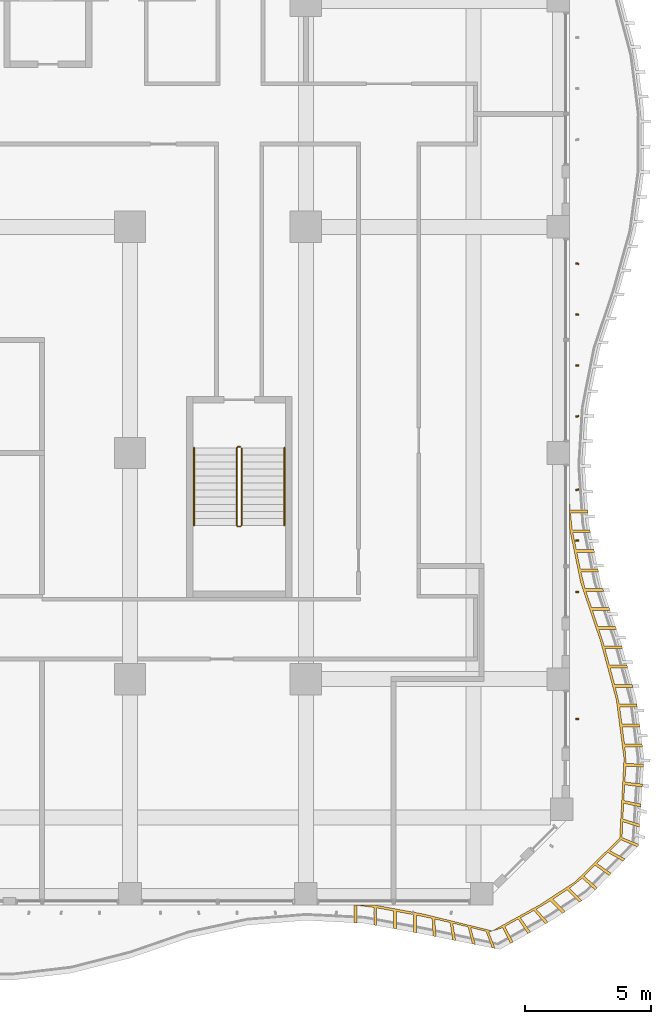
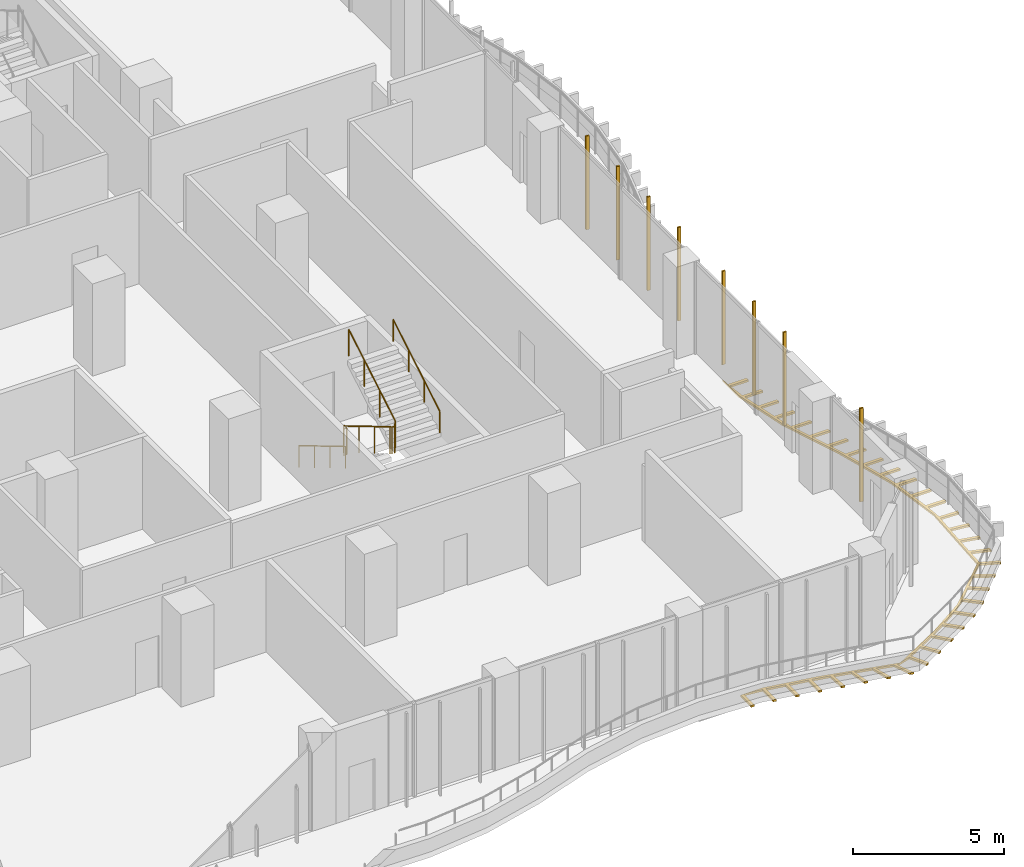
# One storey, part 25 of 29: 9 shading devices, 3 railings.
"""IFC4 building model written with IfcOpenShell, lengths in metres."""

from ifc_helpers import new_model, si_unit, direction, frame, origin, origin_2d, place, context, subcontext, project, spatial, polyline, rectangle, circle, outline, extrude, source, transform, mapped, material, layer, layer_set, material_profile, profile_set, type_object, element, save


model = new_model("IFC4")

# Units and contexts
model_context = context("Model", 3, precision=1e-05, world=origin(), true_north=direction((0.0, 1.0)))
body_context = subcontext(model_context, "Body", "Model", "MODEL_VIEW")
ifc_project = project(units=[si_unit("LENGTHUNIT", "METRE"), si_unit("AREAUNIT", "SQUARE_METRE"), si_unit("VOLUMEUNIT", "CUBIC_METRE"), si_unit("PLANEANGLEUNIT", "RADIAN"), si_unit("MASSUNIT", "GRAM", prefix="KILO")], contexts=[model_context])

# Site, building, storey
site_placement = place(None, origin())
site = spatial("IfcSite", under=ifc_project, at=site_placement, CompositionType="ELEMENT")
building_placement = place(site_placement, origin())
building = spatial("IfcBuilding", under=site, at=building_placement, Name="Kilnfold Tower and Market Hall", CompositionType="ELEMENT")
storey_placement = place(building_placement, frame((0.0, 0.0, 79.199951171875)))
storey = spatial("IfcBuildingStorey", under=building, at=storey_placement, Name="L18", CompositionType="ELEMENT", Elevation=79.199951171875)

# Railings
ifc_material_1 = material(Name="Stainless steel 316", Category="steel")
railing_type_1 = type_object("IfcRailingType", Name="CORE STAIR GUARD 1100", PredefinedType="GUARDRAIL", material=ifc_material_1)
railing_1_placement = place(storey_placement, frame((19.89990234375, -9.75, 0.0)))
element("IfcRailing", 1, at=railing_1_placement, inside=storey, type_object=railing_type_1, Name="L18 ST4 stair guard 1", PredefinedType="GUARDRAIL", context=body_context, shape_type="SweptSolid", body=[
    extrude(circle(Radius=0.02392578125, at=origin_2d()), frame((0.0, 0.0, 1.076171875), z_axis=(-1.0, 0.0, 0.0), x_axis=(0.0, -1.0, 0.0)), (0.0, 0.0, 1.0), 0.099853515625),
    extrude(circle(Radius=0.02392578125, at=origin_2d()), frame((-0.099853515625, 0.0, 1.076171875), z_axis=(-0.27628659633, -0.27628659633, 0.920506074601), x_axis=(0.707106781187, -0.707106781187, 0.0)), (0.0, 0.0, 1.0), 0.18115234375),
    extrude(circle(Radius=0.02392578125, at=origin_2d()), frame((-0.14990234375, -0.050048828125, 1.24267578125), z_axis=(0.0, -0.859290745958, 0.51148745235), x_axis=(1.0, 0.0, 0.0)), (0.0, 0.0, 1.0), 3.584228515625),
    extrude(circle(Radius=0.02392578125, at=origin_2d()), frame((-0.14990234375, -3.1298828125, 3.076171875), z_axis=(0.707106781187, -0.707106781187, 0.0), x_axis=(0.707106781187, 0.707106781187, 0.0)), (0.0, 0.0, 1.0), 0.07080078125),
    extrude(circle(Radius=0.02392578125, at=origin_2d()), frame((-0.099853515625, -3.179931640625, 3.076171875), z_axis=(1.0, 0.0, 0.0), x_axis=(0.0, 1.0, 0.0)), (0.0, 0.0, 1.0), 0.099853515625),
    extrude(circle(Radius=0.02392578125, at=origin_2d()), frame((0.0, -3.179931640625, 3.076171875), z_axis=(0.27628659633, 0.27628659633, 0.920506074601), x_axis=(-0.707106781187, 0.707106781187, 0.0)), (0.0, 0.0, 1.0), 0.18115234375),
    extrude(circle(Radius=0.02392578125, at=origin_2d()), frame((0.050048828125, -3.1298828125, 3.24267578125), z_axis=(0.0, 0.859290745958, 0.51148745235), x_axis=(-1.0, 0.0, 0.0)), (0.0, 0.0, 1.0), 3.584228515625),
    extrude(circle(Radius=0.02099609375, at=origin_2d()), origin(), (0.0, 0.0, 1.0), 1.052001953125),
    extrude(circle(Radius=0.02099609375, at=origin_2d()), frame((-0.099853515625, 0.0, 0.0)), (0.0, 0.0, 1.0), 1.052001953125),
    extrude(circle(Radius=0.02099609375, at=origin_2d()), frame((-0.14990234375, -0.050048828125, 0.166748046875)), (0.0, 0.0, 1.0), 1.052001953125),
    extrude(circle(Radius=0.02099609375, at=origin_2d()), frame((-0.14990234375, -1.07666015625, 0.77783203125)), (0.0, 0.0, 1.0), 1.052001953125),
    extrude(circle(Radius=0.02099609375, at=origin_2d()), frame((-0.14990234375, -2.103271484375, 1.388916015625)), (0.0, 0.0, 1.0), 1.052001953125),
    extrude(circle(Radius=0.02099609375, at=origin_2d()), frame((-0.14990234375, -3.1298828125, 2.0)), (0.0, 0.0, 1.0), 1.052001953125),
    extrude(circle(Radius=0.02099609375, at=origin_2d()), frame((-0.099853515625, -3.179931640625, 2.0)), (0.0, 0.0, 1.0), 1.052001953125),
    extrude(circle(Radius=0.02099609375, at=origin_2d()), frame((0.0, -3.179931640625, 2.0)), (0.0, 0.0, 1.0), 1.052001953125),
    extrude(circle(Radius=0.02099609375, at=origin_2d()), frame((0.050048828125, -3.1298828125, 2.166748046875)), (0.0, 0.0, 1.0), 1.052001953125),
    extrude(circle(Radius=0.02099609375, at=origin_2d()), frame((0.050048828125, -2.103271484375, 2.77783203125)), (0.0, 0.0, 1.0), 1.052001953125),
    extrude(circle(Radius=0.02099609375, at=origin_2d()), frame((0.050048828125, -1.07666015625, 3.388916015625)), (0.0, 0.0, 1.0), 1.052001953125),
    extrude(circle(Radius=0.02099609375, at=origin_2d()), frame((0.050048828125, -0.050048828125, 4.0)), (0.0, 0.0, 1.0), 1.052001953125),
])
ifc_material_2 = material(Name="Stainless steel 316", Category="steel")
railing_type_2 = type_object("IfcRailingType", Name="CORE STAIR HANDRAIL 900", PredefinedType="HANDRAIL", material=ifc_material_2)
railing_2_placement = place(storey_placement, frame((18.050048828125, -9.800048828125, 0.166748046875)))
element("IfcRailing", 2, at=railing_2_placement, inside=storey, type_object=railing_type_2, Name="L18 ST4 stair handrail 1", PredefinedType="HANDRAIL", context=body_context, shape_type="SweptSolid", body=[
    extrude(circle(Radius=0.02392578125, at=origin_2d()), frame((0.0, 0.0, 0.8759765625), z_axis=(0.0, -0.859290745958, 0.51148745235), x_axis=(1.0, 0.0, 0.0)), (0.0, 0.0, 1.0), 3.584228515625),
    extrude(circle(Radius=0.02099609375, at=origin_2d()), origin(), (0.0, 0.0, 1.0), 0.851806640625),
    extrude(circle(Radius=0.02099609375, at=origin_2d()), frame((0.0, -1.026611328125, 0.611083984375)), (0.0, 0.0, 1.0), 0.851806640625),
    extrude(circle(Radius=0.02099609375, at=origin_2d()), frame((0.0, -2.05322265625, 1.22216796875)), (0.0, 0.0, 1.0), 0.851806640625),
    extrude(circle(Radius=0.02099609375, at=origin_2d()), frame((0.0, -3.079833984375, 1.833251953125)), (0.0, 0.0, 1.0), 0.851806640625),
])
railing_3_placement = place(storey_placement, frame((21.64990234375, -12.8798828125, 2.166748046875)))
element("IfcRailing", 3, at=railing_3_placement, inside=storey, type_object=railing_type_2, Name="L18 ST4 stair handrail 2", PredefinedType="HANDRAIL", context=body_context, shape_type="SweptSolid", body=[
    extrude(circle(Radius=0.02392578125, at=origin_2d()), frame((0.0, 0.0, 0.8759765625), z_axis=(0.0, 0.859290745958, 0.51148745235), x_axis=(-1.0, 0.0, 0.0)), (0.0, 0.0, 1.0), 3.584228515625),
    extrude(circle(Radius=0.02099609375, at=origin_2d()), origin(), (0.0, 0.0, 1.0), 0.851806640625),
    extrude(circle(Radius=0.02099609375, at=origin_2d()), frame((0.0, 1.026611328125, 0.611083984375)), (0.0, 0.0, 1.0), 0.851806640625),
    extrude(circle(Radius=0.02099609375, at=origin_2d()), frame((0.0, 2.05322265625, 1.22216796875)), (0.0, 0.0, 1.0), 0.851806640625),
    extrude(circle(Radius=0.02099609375, at=origin_2d()), frame((0.0, 3.079833984375, 1.833251953125)), (0.0, 0.0, 1.0), 0.851806640625),
])

# Shading devices
ifc_material_3 = material(Name="Terracotta", Category="masonry")
ifc_material_profile = material_profile(ifc_material_3, rectangle(XDim=0.06005859375, YDim=0.1201171875, at=origin_2d()), Name="BAG 60x120")
ifc_profile_set = profile_set([ifc_material_profile], Name="Terracotta")
shading_device_type_1 = type_object("IfcShadingDeviceType", Name="BAGUETTE", PredefinedType="USERDEFINED", material=ifc_profile_set)
shared_shape_1 = source(origin(), body_context, "Body", "SweptSolid", [
    extrude(rectangle(XDim=0.06005859375, YDim=0.1201171875, at=origin_2d()), origin(), (0.0, 0.0, 1.0), 3.780029296875),
])
for number, where, z_axis, x_axis, name in (
    (4, (33.300048828125, -20.5908203125, 0.0), (0.0, 0.0, 1.0), (0.076783414824, 0.997047795849, 0.0), "Terracotta baguette L18 E"),
    (5, (33.300048828125, -15.52490234375, 0.0), (0.0, 0.0, 1.0), (0.039259815759, 0.999229036241, 0.0), "Terracotta baguette L18 E"),
    (6, (33.300048828125, -13.487548828125, 0.0), (0.0, 0.0, 1.0), (-0.082091580177, 0.996624790211, 0.0), "Terracotta baguette L18 E"),
    (7, (33.300048828125, -11.46240234375, 0.0), (0.0, 0.0, 1.0), (-0.139098781784, 0.990278510777, 0.0), "Terracotta baguette L18 E"),
    (8, (33.300048828125, -8.53759765625, 0.0), (0.0, 0.0, 1.0), (-0.040011461541, 0.999199220849, 0.0), "Terracotta baguette L18 E"),
    (9, (33.300048828125, -6.512451171875, 0.0), (0.0, 0.0, 1.0), (0.080823463478, 0.996728432298, 0.0), "Terracotta baguette L18 E"),
    (10, (33.300048828125, -4.487548828125, 0.0), (0.0, 0.0, 1.0), (0.139040017229, 0.990286763321, 0.0), "Terracotta baguette L18 E"),
    (11, (33.300048828125, -2.46240234375, 0.0), (0.0, 0.0, 1.0), (0.090448335154, 0.995901149044, 0.0), "Terracotta baguette L18 E"),
):
    element("IfcShadingDevice", number, at=place(storey_placement, frame(where, z_axis=z_axis, x_axis=x_axis)), inside=storey, type_object=shading_device_type_1, Name=name, ObjectType="BAGUETTE", PredefinedType="USERDEFINED", context=body_context, shape_type="MappedRepresentation", body=[
        mapped(shared_shape_1, transform((0.0, 0.0, 0.0))),
    ])
ifc_material_4 = material(Name="Bronze anodised aluminium", Category="aluminium")
ifc_layer = layer(ifc_material_4, 0.080078125)
ifc_layer_set = layer_set([ifc_layer], Name="Bronze anodised aluminium")
shading_device_type_2 = type_object("IfcShadingDeviceType", Name="BRONZE SLAT SOFFIT 80", PredefinedType="USERDEFINED", material=ifc_layer_set)
shared_shape_2 = source(origin(), body_context, "Body", "SweptSolid", [
    extrude(outline(polyline([(27.166748046875, -28.3466796875), (29.923583984375, -29.022216796875), (31.814208984375, -27.98095703125), (33.226806640625, -27.060302734375), (34.9951171875, -25.326416015625), (35.1640625, -22.166748046875), (34.860595703125, -19.833251953125), (34.232177734375, -17.5), (33.440185546875, -15.166748046875), (33.0, -13.01611328125), (33.0, -11.934326171875), (33.022705078125, -12.260986328125), (33.722900390625, -12.260986328125), (33.731201171875, -12.380859375), (33.031005859375, -12.380859375), (33.10791015625, -13.05517578125), (33.80810546875, -13.05517578125), (33.83203125, -13.172607421875), (33.132080078125, -13.172607421875), (33.268310546875, -13.8388671875), (33.968505859375, -13.8388671875), (33.992431640625, -13.956298828125), (33.29248046875, -13.956298828125), (33.4287109375, -14.62255859375), (34.12890625, -14.62255859375), (34.15283203125, -14.740234375), (33.452880859375, -14.740234375), (33.61865234375, -15.3984375), (34.318603515625, -15.3984375), (34.357421875, -15.511962890625), (33.6572265625, -15.511962890625), (33.8759765625, -16.156005859375), (34.575927734375, -16.156005859375), (34.614501953125, -16.26953125), (33.91455078125, -16.26953125), (34.133056640625, -16.91357421875), (34.8330078125, -16.91357421875), (34.87158203125, -17.027099609375), (34.171630859375, -17.027099609375), (34.379150390625, -17.67431640625), (35.0791015625, -17.67431640625), (35.1103515625, -17.790283203125), (34.410400390625, -17.790283203125), (34.587158203125, -18.447021484375), (35.287109375, -18.447021484375), (35.318359375, -18.562744140625), (34.618408203125, -18.562744140625), (34.795166015625, -19.219482421875), (35.4951171875, -19.219482421875), (35.5263671875, -19.335205078125), (34.826416015625, -19.335205078125), (34.981689453125, -19.99609375), (35.681640625, -19.99609375), (35.697265625, -20.114990234375), (34.997314453125, -20.114990234375), (35.0849609375, -20.789306640625), (35.784912109375, -20.789306640625), (35.80029296875, -20.908447265625), (35.100341796875, -20.908447265625), (35.18798828125, -21.582763671875), (35.88818359375, -21.582763671875), (35.903564453125, -21.70166015625), (35.20361328125, -21.70166015625), (35.250244140625, -22.361083984375), (35.9501953125, -22.377197265625), (35.942138671875, -22.4970703125), (35.24267578125, -22.471435546875), (35.20166015625, -23.096435546875), (35.897216796875, -23.175537109375), (35.88916015625, -23.29541015625), (35.19482421875, -23.20654296875), (35.158935546875, -23.831298828125), (35.84423828125, -23.973876953125), (35.836181640625, -24.093505859375), (35.15283203125, -23.94189453125), (35.121826171875, -24.56787109375), (35.791259765625, -24.772216796875), (35.783203125, -24.891845703125), (35.11669921875, -24.678466796875), (35.08984375, -25.306884765625), (35.73828125, -25.5703125), (35.734130859375, -25.632568359375), (35.69384765625, -25.673828125), (35.04931640625, -25.40087890625), (34.603759765625, -25.827880859375), (35.219482421875, -26.160888671875), (35.1357421875, -26.246826171875), (34.52587890625, -25.9033203125), (34.08740234375, -26.3330078125), (34.661376953125, -26.73388671875), (34.577392578125, -26.820068359375), (34.0107421875, -26.4091796875), (33.578369140625, -26.84375), (34.10302734375, -27.30712890625), (34.019287109375, -27.39306640625), (33.502685546875, -26.9208984375), (33.000244140625, -27.32470703125), (33.4951171875, -27.819580078125), (33.39453125, -27.88525390625), (32.899658203125, -27.390380859375), (32.330078125, -27.76171875), (32.824951171875, -28.256591796875), (32.724365234375, -28.322021484375), (32.2294921875, -27.8271484375), (31.672119140625, -28.16357421875), (32.14599609375, -28.6787109375), (32.04150390625, -28.73779296875), (31.577392578125, -28.213623046875), (31.045166015625, -28.5009765625), (31.449462890625, -29.072265625), (31.344970703125, -29.13134765625), (30.95166015625, -28.55224609375), (30.425048828125, -28.847412109375), (30.752685546875, -29.4658203125), (30.6484375, -29.52490234375), (30.33251953125, -28.900146484375), (29.782470703125, -29.069091796875), (30.034423828125, -29.72216796875), (29.916748046875, -29.698486328125), (29.674560546875, -29.0419921875), (29.064697265625, -28.889892578125), (29.25, -29.564697265625), (29.13232421875, -29.541259765625), (28.95751953125, -28.86328125), (28.35009765625, -28.717041015625), (28.4658203125, -29.407470703125), (28.34814453125, -29.3837890625), (28.242919921875, -28.69189453125), (27.635986328125, -28.551513671875), (27.681396484375, -29.25), (27.563720703125, -29.226318359375), (27.52880859375, -28.52734375), (26.896240234375, -28.39697265625), (26.896240234375, -29.096923828125), (26.778076171875, -29.0751953125), (26.778076171875, -28.375244140625), (26.109375, -28.25244140625), (26.109375, -28.952392578125), (25.9912109375, -28.930908203125), (25.9912109375, -28.23095703125), (25.322509765625, -28.10791015625), (25.322509765625, -28.80810546875), (25.20458984375, -28.786376953125), (25.20458984375, -28.08642578125), (24.531005859375, -28.003173828125), (24.531005859375, -28.703125), (24.4111328125, -28.697265625), (24.4111328125, -28.0), (25.27880859375, -28.0), (27.166748046875, -28.3466796875)])), origin(), (0.0, 0.0, 1.0), 0.080078125),
])
shading_device_placement = place(storey_placement, frame((0.0, 0.0, -0.300048828125)))
element("IfcShadingDevice", 12, at=shading_device_placement, inside=storey, type_object=shading_device_type_2, Name="Balcony soffit slats L18", ObjectType="SLAT", PredefinedType="USERDEFINED", context=body_context, shape_type="MappedRepresentation", body=[
    mapped(shared_shape_2, transform((0.0, 0.0, 0.0))),
])

save(model, "model.ifc")
